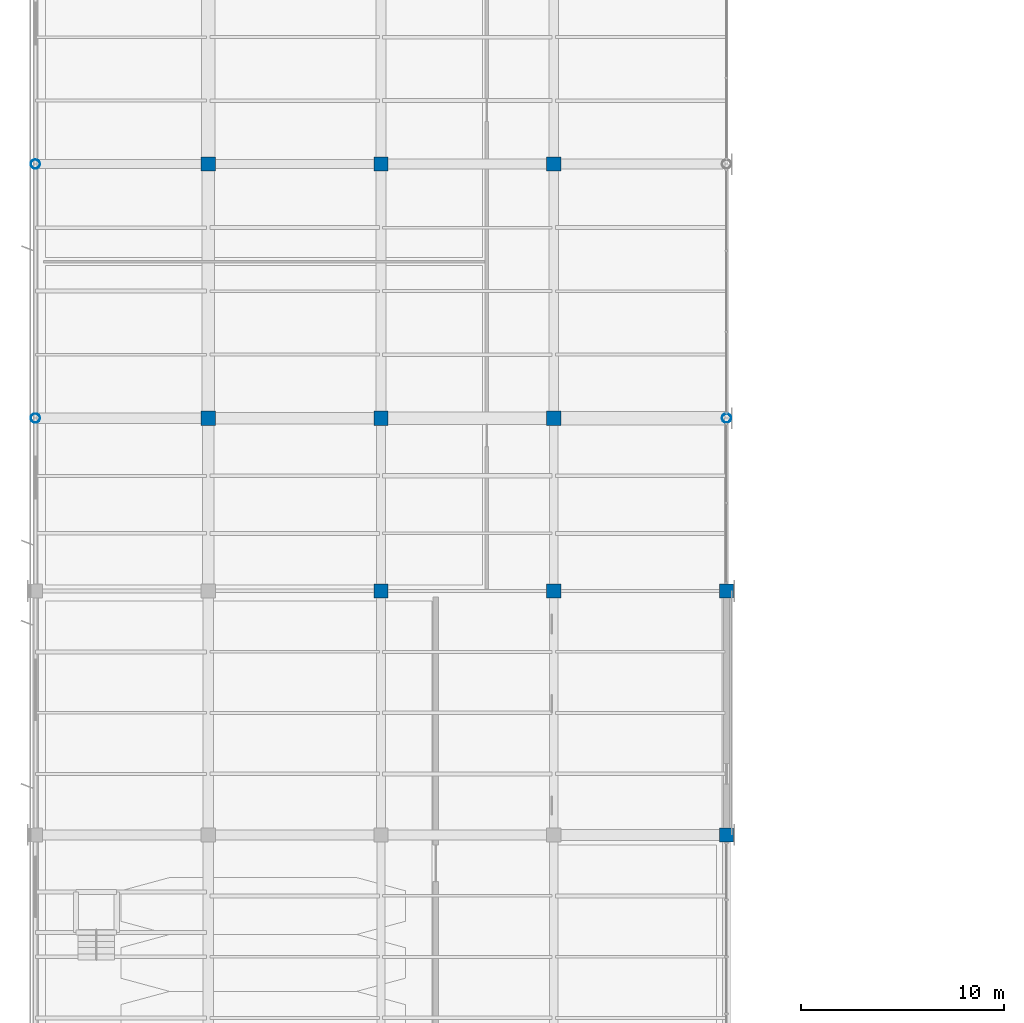
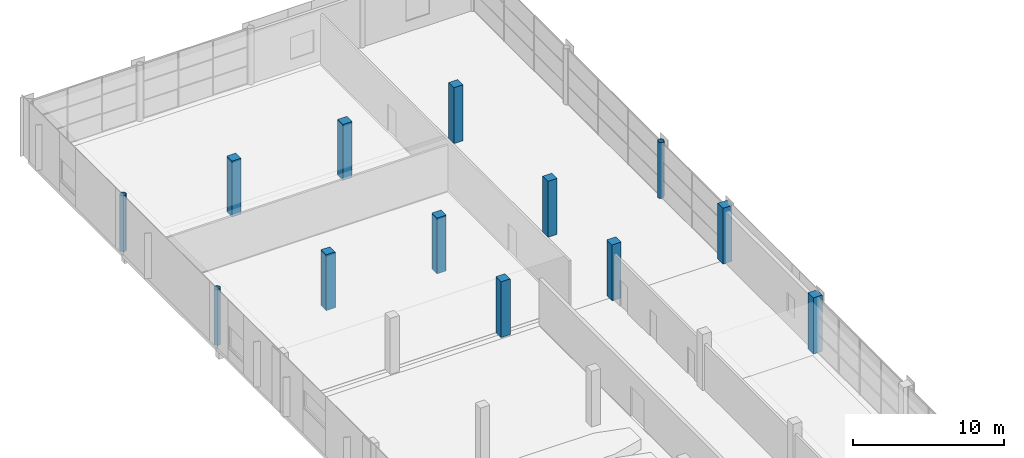
# One storey, part 4 of 112: 13 columns.
"""IFC4 building model written with IfcOpenShell, lengths in metres."""

from ifc_helpers import new_model, si_unit, direction, frame, origin, origin_2d, place, context, subcontext, project, spatial, rectangle, hollow_circle, extrude, material, material_profile, profile_set, type_object, element, save


model = new_model("IFC4")

# Units and contexts
model_context = context("Model", 3, precision=1e-05, world=origin(), true_north=direction((0.0, 1.0)))
body_context = subcontext(model_context, "Body", "Model", "MODEL_VIEW")
ifc_project = project(units=[si_unit("LENGTHUNIT", "METRE"), si_unit("AREAUNIT", "SQUARE_METRE"), si_unit("VOLUMEUNIT", "CUBIC_METRE"), si_unit("PLANEANGLEUNIT", "RADIAN"), si_unit("MASSUNIT", "GRAM", prefix="KILO")], contexts=[model_context])

# Site, building, storey
site_placement = place(None, origin())
site = spatial("IfcSite", under=ifc_project, at=site_placement, CompositionType="ELEMENT")
building_placement = place(site_placement, origin())
building = spatial("IfcBuilding", under=site, at=building_placement, Name="Solvikara Media Centre", CompositionType="ELEMENT")
storey_placement = place(building_placement, frame((0.0, 0.0, 5.39990234375)))
storey = spatial("IfcBuildingStorey", under=building, at=storey_placement, Name="L01", CompositionType="ELEMENT", Elevation=5.39990234375)

# Columns
ifc_material_1 = material(Name="Concrete fc' 45 MPa (C45/55)", Category="concrete")
ifc_material_profile_1 = material_profile(ifc_material_1, rectangle(XDim=0.699951171875, YDim=0.699951171875, at=origin_2d()), Name="RC 700x700")
ifc_profile_set_1 = profile_set([ifc_material_profile_1], Name="Concrete fc' 45 MPa (C45/55)")
column_type_1 = type_object("IfcColumnType", Name="CL-03", PredefinedType="COLUMN", material=ifc_profile_set_1)
column_1_placement = place(storey_placement, frame((8.5, 89.0, 0.0), z_axis=(0.0, 0.0, 1.0), x_axis=(1.0, 0.0, 0.0)))
element("IfcColumn", 1, at=column_1_placement, inside=storey, type_object=column_type_1, Name="C-L01-0085-0890", PredefinedType="COLUMN", context=body_context, shape_type="SweptSolid", body=[
    extrude(rectangle(XDim=0.699951171875, YDim=0.699951171875, at=origin_2d()), origin(), (0.0, 0.0, 1.0), 4.530029296875),
])
column_2_placement = place(storey_placement, frame((8.5, 101.5, 0.0), z_axis=(0.0, 0.0, 1.0), x_axis=(1.0, 0.0, 0.0)))
element("IfcColumn", 2, at=column_2_placement, inside=storey, type_object=column_type_1, Name="C-L01-0085-1015", PredefinedType="COLUMN", context=body_context, shape_type="SweptSolid", body=[
    extrude(rectangle(XDim=0.699951171875, YDim=0.699951171875, at=origin_2d()), origin(), (0.0, 0.0, 1.0), 4.5400390625),
])
for number, where, z_axis, x_axis, name in (
    (3, (17.0, 80.5, 0.0), (0.0, 0.0, 1.0), (1.0, 0.0, 0.0), "C-L01-0170-0805"),
    (4, (17.0, 89.0, 0.0), (0.0, 0.0, 1.0), (1.0, 0.0, 0.0), "C-L01-0170-0890"),
):
    element("IfcColumn", number, at=place(storey_placement, frame(where, z_axis=z_axis, x_axis=x_axis)), inside=storey, type_object=column_type_1, Name=name, PredefinedType="COLUMN", context=body_context, shape_type="SweptSolid", body=[
        extrude(rectangle(XDim=0.699951171875, YDim=0.699951171875, at=origin_2d()), origin(), (0.0, 0.0, 1.0), 4.530029296875),
    ])
column_3_placement = place(storey_placement, frame((17.0, 101.5, 0.0), z_axis=(0.0, 0.0, 1.0), x_axis=(1.0, 0.0, 0.0)))
element("IfcColumn", 5, at=column_3_placement, inside=storey, type_object=column_type_1, Name="C-L01-0170-1015", PredefinedType="COLUMN", context=body_context, shape_type="SweptSolid", body=[
    extrude(rectangle(XDim=0.699951171875, YDim=0.699951171875, at=origin_2d()), origin(), (0.0, 0.0, 1.0), 4.5400390625),
])
for number, where, z_axis, x_axis, name in (
    (6, (25.5, 80.5, 0.0), (0.0, 0.0, 1.0), (1.0, 0.0, 0.0), "C-L01-0255-0805"),
    (7, (25.5, 89.0, 0.0), (0.0, 0.0, 1.0), (1.0, 0.0, 0.0), "C-L01-0255-0890"),
):
    element("IfcColumn", number, at=place(storey_placement, frame(where, z_axis=z_axis, x_axis=x_axis)), inside=storey, type_object=column_type_1, Name=name, PredefinedType="COLUMN", context=body_context, shape_type="SweptSolid", body=[
        extrude(rectangle(XDim=0.699951171875, YDim=0.699951171875, at=origin_2d()), origin(), (0.0, 0.0, 1.0), 4.530029296875),
    ])
column_4_placement = place(storey_placement, frame((25.5, 101.5, 0.0), z_axis=(0.0, 0.0, 1.0), x_axis=(1.0, 0.0, 0.0)))
element("IfcColumn", 8, at=column_4_placement, inside=storey, type_object=column_type_1, Name="C-L01-0255-1015", PredefinedType="COLUMN", context=body_context, shape_type="SweptSolid", body=[
    extrude(rectangle(XDim=0.699951171875, YDim=0.699951171875, at=origin_2d()), origin(), (0.0, 0.0, 1.0), 4.5400390625),
])
ifc_material_profile_2 = material_profile(ifc_material_1, rectangle(XDim=0.699951171875, YDim=0.699951171875, at=origin_2d()), Name="RC 700x700")
ifc_profile_set_2 = profile_set([ifc_material_profile_2], Name="Concrete fc' 45 MPa (C45/55)")
column_type_2 = type_object("IfcColumnType", Name="CL-15", PredefinedType="COLUMN", material=ifc_profile_set_2)
column_5_placement = place(storey_placement, frame((34.0, 68.5, 0.0), z_axis=(0.0, 0.0, 1.0), x_axis=(1.0, 0.0, 0.0)))
element("IfcColumn", 9, at=column_5_placement, inside=storey, type_object=column_type_2, Name="C-L01-0340-0685", PredefinedType="COLUMN", context=body_context, shape_type="SweptSolid", body=[
    extrude(rectangle(XDim=0.699951171875, YDim=0.699951171875, at=origin_2d()), origin(), (0.0, 0.0, 1.0), 4.5400390625),
])
column_6_placement = place(storey_placement, frame((34.0, 80.5, 0.0), z_axis=(0.0, 0.0, 1.0), x_axis=(1.0, 0.0, 0.0)))
element("IfcColumn", 10, at=column_6_placement, inside=storey, type_object=column_type_2, Name="C-L01-0340-0805", PredefinedType="COLUMN", context=body_context, shape_type="SweptSolid", body=[
    extrude(rectangle(XDim=0.699951171875, YDim=0.699951171875, at=origin_2d()), origin(), (0.0, 0.0, 1.0), 4.530029296875),
])
ifc_material_2 = material(Name="Steel S355JR", Category="steel")
ifc_material_profile_3 = material_profile(ifc_material_2, hollow_circle(Radius=0.228515625, WallThickness=0.01611328125, at=origin_2d()), Name="CHS 457x16")
ifc_profile_set_3 = profile_set([ifc_material_profile_3], Name="Steel S355JR")
column_type_3 = type_object("IfcColumnType", Name="CL-26", PredefinedType="COLUMN", material=ifc_profile_set_3)
column_7_placement = place(storey_placement, frame((0.0, 89.0, 0.0), z_axis=(0.0, 0.0, 1.0), x_axis=(1.0, 0.0, 0.0)))
element("IfcColumn", 11, at=column_7_placement, inside=storey, type_object=column_type_3, Name="C-L01-0000-0890", PredefinedType="COLUMN", context=body_context, shape_type="SweptSolid", body=[
    extrude(hollow_circle(Radius=0.228515625, WallThickness=0.01611328125, at=origin_2d()), origin(), (0.0, 0.0, 1.0), 4.530029296875),
])
column_8_placement = place(storey_placement, frame((0.0, 101.5, 0.0), z_axis=(0.0, 0.0, 1.0), x_axis=(1.0, 0.0, 0.0)))
element("IfcColumn", 12, at=column_8_placement, inside=storey, type_object=column_type_3, Name="C-L01-0000-1015", PredefinedType="COLUMN", context=body_context, shape_type="SweptSolid", body=[
    extrude(hollow_circle(Radius=0.228515625, WallThickness=0.01611328125, at=origin_2d()), origin(), (0.0, 0.0, 1.0), 4.5400390625),
])
column_9_placement = place(storey_placement, frame((34.0, 89.0, 0.0), z_axis=(0.0, 0.0, 1.0), x_axis=(1.0, 0.0, 0.0)))
element("IfcColumn", 13, at=column_9_placement, inside=storey, type_object=column_type_3, Name="C-L01-0340-0890", PredefinedType="COLUMN", context=body_context, shape_type="SweptSolid", body=[
    extrude(hollow_circle(Radius=0.228515625, WallThickness=0.01611328125, at=origin_2d()), origin(), (0.0, 0.0, 1.0), 4.530029296875),
])

save(model, "model.ifc")
